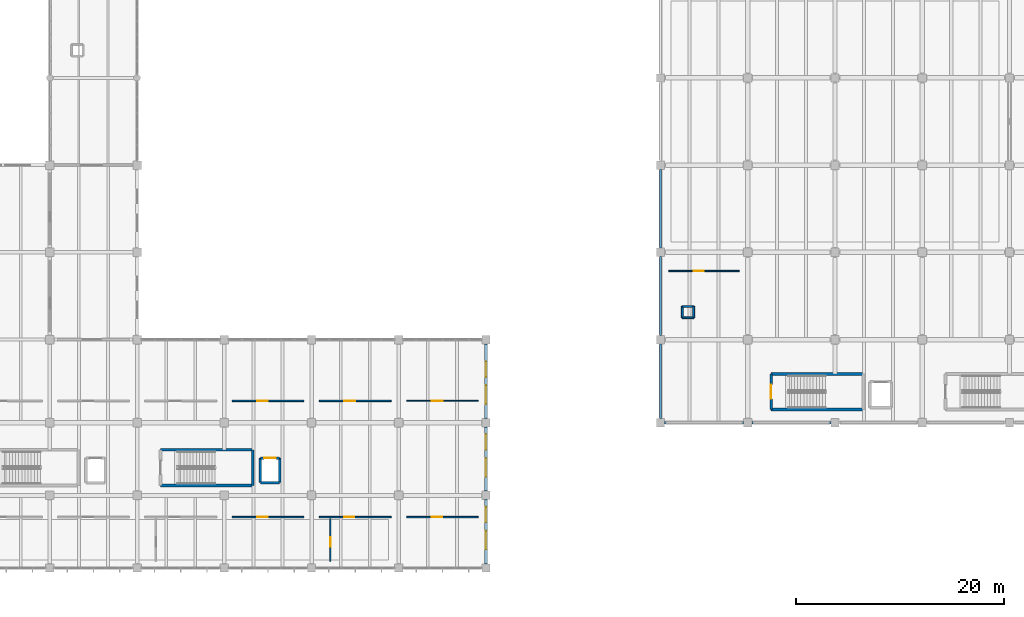
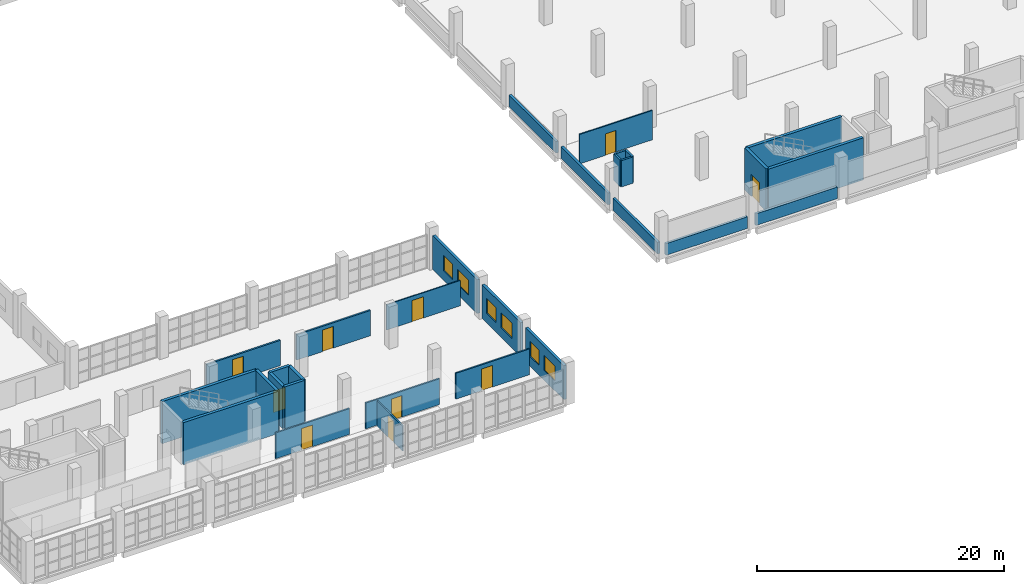
# One storey, part 150 of 177: 30 walls, 10 doors, 6 windows, 16 openings.
"""IFC4 building model written with IfcOpenShell, lengths in metres."""

from ifc_helpers import new_model, si_unit, direction, frame, frame_2d, origin, place, context, subcontext, project, spatial, rectangle, extrude, material, layer, layer_set, type_object, element, fill, save


model = new_model("IFC4")

# Units and contexts
model_context = context("Model", 3, precision=1e-05, world=origin(), true_north=direction((0.0, 1.0)))
body_context = subcontext(model_context, "Body", "Model", "MODEL_VIEW")
ifc_project = project(units=[si_unit("LENGTHUNIT", "METRE"), si_unit("AREAUNIT", "SQUARE_METRE"), si_unit("VOLUMEUNIT", "CUBIC_METRE"), si_unit("PLANEANGLEUNIT", "RADIAN"), si_unit("MASSUNIT", "GRAM", prefix="KILO"), si_unit("THERMODYNAMICTEMPERATUREUNIT", "KELVIN"), si_unit("POWERUNIT", "WATT")], contexts=[model_context])

# Site, building, storey
site_placement = place(None, origin())
site = spatial("IfcSite", under=ifc_project, at=site_placement, CompositionType="ELEMENT")
building_placement = place(site_placement, origin())
building = spatial("IfcBuilding", under=site, at=building_placement, Name="Mavoryth Pier Ferry Terminal", CompositionType="ELEMENT")
storey_placement = place(building_placement, frame((0.0, 0.0, 5.43994140625)))
storey = spatial("IfcBuildingStorey", under=building, at=storey_placement, Name="L01", CompositionType="ELEMENT", Elevation=5.43994140625)

# Walls
ifc_material_1 = material(Name="Concrete C35/45", Category="concrete")
ifc_layer_1 = layer(ifc_material_1, 0.260009765625, Name="Concrete C35/45", Category="concrete")
ifc_layer_set_1 = layer_set([ifc_layer_1], Name="Concrete C35/45 - CoreWall-LiftShaft-RC260")
wall_type_1 = type_object("IfcWallType", Name="CoreWall-LiftShaft-RC260", PredefinedType="SHEAR", material=ifc_layer_set_1)
wall_1_placement = place(storey_placement, frame((70.669921875, 8.219970703125, 0.0), z_axis=(0.0, 0.0, 1.0), x_axis=(1.0, 0.0, 0.0)))
element("IfcWall", 1, at=wall_1_placement, inside=storey, type_object=wall_type_1, Name="Interior Wall IW-L01-0269", PredefinedType="SHEAR", context=body_context, shape_type="SweptSolid", body=[
    extrude(rectangle(XDim=1.860107421875, YDim=0.260009765625, at=frame_2d((0.93017578125, 0.0))), origin(), (0.0, 0.0, 1.0), 4.16015625),
])
for number, where, z_axis, x_axis, name in (
    (2, (72.530029296875, 8.219970703125, 0.0), (0.0, 0.0, 1.0), (0.0, 1.0, 0.0), "Interior Wall IW-L01-0270"),
    (3, (70.669921875, 10.580078125, 0.0), (0.0, 0.0, 1.0), (0.0, -1.0, 0.0), "Interior Wall IW-L01-0271"),
):
    element("IfcWall", number, at=place(storey_placement, frame(where, z_axis=z_axis, x_axis=x_axis)), inside=storey, type_object=wall_type_1, Name=name, PredefinedType="SHEAR", context=body_context, shape_type="SweptSolid", body=[
        extrude(rectangle(XDim=2.360107421875, YDim=0.260009765625, at=frame_2d((1.18017578125, 0.0))), origin(), (0.0, 0.0, 1.0), 4.16015625),
    ])

# Wall, opening, door
wall_2_placement = place(storey_placement, frame((70.669921875, 10.580078125, 0.0), z_axis=(0.0, 0.0, 1.0), x_axis=(1.0, 0.0, 0.0)))
wall_2 = element("IfcWall", 4, at=wall_2_placement, inside=storey, type_object=wall_type_1, Name="Interior Wall IW-L01-0272", PredefinedType="SHEAR", context=body_context, shape_type="SweptSolid", body=[
    extrude(rectangle(XDim=1.860107421875, YDim=0.260009765625, at=frame_2d((0.93017578125, 0.0))), origin(), (0.0, 0.0, 1.0), 4.16015625),
])
opening_1_placement = place(wall_2_placement, frame((0.360107421875, 0.0, 0.0)))
opening_1 = element("IfcOpeningElement", 5, at=opening_1_placement, cuts=wall_2, Name="Opening LD02", PredefinedType="OPENING", context=body_context, shape_type="SweptSolid", body=[
    extrude(rectangle(XDim=1.139892578125, YDim=2.139892578125, at=frame_2d((0.56982421875, 1.06982421875))), frame((0.0, 0.139892578125, 0.0), z_axis=(0.0, -1.0, 0.0), x_axis=(1.0, 0.0, 0.0)), (0.0, 0.0, 1.0), 0.280029296875),
])
ifc_material_2 = material(Name="Brushed Stainless Steel Lift Landing Door", Category="steel")
door_type_1 = type_object("IfcDoorType", Name="Door-LiftLanding-1140x2140", OperationType="NOTDEFINED", PredefinedType="DOOR", material=ifc_material_2)
door_1_placement = place(opening_1_placement, origin())
door_1 = element("IfcDoor", 6, at=door_1_placement, inside=storey, type_object=door_type_1, Name="Lift LF10 Landing Door L01", OperationType="DOUBLE_DOOR_SLIDING", OverallHeight=2.139892578125, OverallWidth=1.139892578125, PredefinedType="DOOR", context=body_context, shape_type="SweptSolid", body=[
    extrude(rectangle(XDim=1.139892578125, YDim=2.139892578125, at=frame_2d((0.56982421875, 1.06982421875))), frame((0.0, 0.02490234375, 0.0), z_axis=(0.0, -1.0, 0.0), x_axis=(1.0, 0.0, 0.0)), (0.0, 0.0, 1.0), 0.050048828125),
])
fill(opening_1, door_1)

# Walls
ifc_material_3 = material(Name="Concrete C40/50", Category="concrete")
ifc_layer_2 = layer(ifc_material_3, 0.280029296875, Name="Concrete C40/50", Category="concrete")
ifc_layer_set_2 = layer_set([ifc_layer_2], Name="Concrete C40/50 - CoreWall-Shear-RC280")
wall_type_2 = type_object("IfcWallType", Name="CoreWall-Shear-RC280", PredefinedType="SHEAR", material=ifc_layer_set_2)
for number, where, z_axis, x_axis, name in (
    (7, (119.860107421875, 15.260009765625, 0.0), (0.0, 0.0, 1.0), (1.0, 0.0, 0.0), "Interior Wall IW-L01-0137"),
    (8, (119.860107421875, 18.68994140625, 0.0), (0.0, 0.0, 1.0), (1.0, 0.0, 0.0), "Interior Wall IW-L01-0138"),
):
    element("IfcWall", number, at=place(storey_placement, frame(where, z_axis=z_axis, x_axis=x_axis)), inside=storey, type_object=wall_type_2, Name=name, PredefinedType="SHEAR", context=body_context, shape_type="SweptSolid", body=[
        extrude(rectangle(XDim=8.8798828125, YDim=0.280029296875, at=frame_2d((4.43994140625, 0.0))), origin(), (0.0, 0.0, 1.0), 4.16015625),
    ])

# Wall, opening, door
wall_3_placement = place(storey_placement, frame((119.860107421875, 18.68994140625, 0.0), z_axis=(0.0, 0.0, 1.0), x_axis=(0.0, -1.0, 0.0)))
wall_3 = element("IfcWall", 9, at=wall_3_placement, inside=storey, type_object=wall_type_2, Name="Interior Wall IW-L01-0139", PredefinedType="SHEAR", context=body_context, shape_type="SweptSolid", body=[
    extrude(rectangle(XDim=3.429931640625, YDim=0.280029296875, at=frame_2d((1.71484375, 0.0))), origin(), (0.0, 0.0, 1.0), 4.16015625),
])
opening_2_placement = place(wall_3_placement, frame((1.034912109375, 0.0, 0.0)))
opening_2 = element("IfcOpeningElement", 10, at=opening_2_placement, cuts=wall_3, Name="Opening ID02-035", PredefinedType="OPENING", context=body_context, shape_type="SweptSolid", body=[
    extrude(rectangle(XDim=1.360107421875, YDim=2.14990234375, at=frame_2d((0.68017578125, 1.074951171875))), frame((0.0, 0.14990234375, 0.0), z_axis=(0.0, -1.0, 0.0), x_axis=(1.0, 0.0, 0.0)), (0.0, 0.0, 1.0), 0.300048828125),
])
ifc_material_4 = material(Name="Painted Galvanised Steel Fire Door", Category="steel")
door_type_2 = type_object("IfcDoorType", Name="Door-StairFire-1360x2150", OperationType="NOTDEFINED", PredefinedType="DOOR", material=ifc_material_4)
door_2_placement = place(opening_2_placement, origin())
door_2 = element("IfcDoor", 11, at=door_2_placement, inside=storey, type_object=door_type_2, Name="Core C4A Stair Exit Door L01", OperationType="SINGLE_SWING_LEFT", OverallHeight=2.14990234375, OverallWidth=1.360107421875, PredefinedType="DOOR", context=body_context, shape_type="SweptSolid", body=[
    extrude(rectangle(XDim=1.360107421875, YDim=2.14990234375, at=frame_2d((0.68017578125, 1.074951171875))), frame((0.0, 0.02490234375, 0.0), z_axis=(0.0, -1.0, 0.0), x_axis=(1.0, 0.0, 0.0)), (0.0, 0.0, 1.0), 0.050048828125),
])
fill(opening_2, door_2)

# Walls
for number, where, z_axis, x_axis, name in (
    (12, (61.06005859375, 7.9599609375, 0.0), (0.0, 0.0, 1.0), (1.0, 0.0, 0.0), "Interior Wall IW-L01-0249"),
    (13, (61.06005859375, 11.389892578125, 0.0), (0.0, 0.0, 1.0), (1.0, 0.0, 0.0), "Interior Wall IW-L01-0250"),
):
    element("IfcWall", number, at=place(storey_placement, frame(where, z_axis=z_axis, x_axis=x_axis)), inside=storey, type_object=wall_type_2, Name=name, PredefinedType="SHEAR", context=body_context, shape_type="SweptSolid", body=[
        extrude(rectangle(XDim=8.8798828125, YDim=0.280029296875, at=frame_2d((4.43994140625, 0.0))), origin(), (0.0, 0.0, 1.0), 4.16015625),
    ])
wall_4_placement = place(storey_placement, frame((69.93994140625, 7.9599609375, 0.0), z_axis=(0.0, 0.0, 1.0), x_axis=(0.0, 1.0, 0.0)))
element("IfcWall", 14, at=wall_4_placement, inside=storey, type_object=wall_type_2, Name="Interior Wall IW-L01-0252", PredefinedType="SHEAR", context=body_context, shape_type="SweptSolid", body=[
    extrude(rectangle(XDim=3.429931640625, YDim=0.280029296875, at=frame_2d((1.71484375, 0.0))), origin(), (0.0, 0.0, 1.0), 4.16015625),
])
ifc_layer_3 = layer(ifc_material_3, 0.22998046875, Name="Concrete C40/50", Category="concrete")
ifc_layer_set_3 = layer_set([ifc_layer_3], Name="Concrete C40/50 - ExtWall-CrashUpstand-230")
wall_type_3 = type_object("IfcWallType", Name="ExtWall-CrashUpstand-230", PredefinedType="PARAPET", material=ifc_layer_set_3)
wall_5_placement = place(storey_placement, frame((109.60009765625, 14.0, 0.0), z_axis=(0.0, 0.0, 1.0), x_axis=(1.0, 0.0, 0.0)))
element("IfcWall", 15, at=wall_5_placement, inside=storey, type_object=wall_type_3, Name="Exterior Wall EW-L01-065", PredefinedType="PARAPET", context=body_context, shape_type="SweptSolid", body=[
    extrude(rectangle(XDim=7.599853515625, YDim=0.22998046875, at=frame_2d((3.7998046875, 0.0))), origin(), (0.0, 0.0, 1.0), 1.150146484375),
])
wall_6_placement = place(storey_placement, frame((118.0, 14.0, 0.0), z_axis=(0.0, 0.0, 1.0), x_axis=(1.0, 0.0, 0.0)))
element("IfcWall", 16, at=wall_6_placement, inside=storey, type_object=wall_type_3, Name="Exterior Wall EW-L01-067", PredefinedType="PARAPET", context=body_context, shape_type="SweptSolid", body=[
    extrude(rectangle(XDim=7.60009765625, YDim=0.22998046875, at=frame_2d((3.800048828125, 0.0))), origin(), (0.0, 0.0, 1.0), 1.150146484375),
])
wall_7_placement = place(storey_placement, frame((109.199951171875, 14.39990234375, 0.0), z_axis=(0.0, 0.0, 1.0), x_axis=(0.0, 1.0, 0.0)))
element("IfcWall", 17, at=wall_7_placement, inside=storey, type_object=wall_type_3, Name="Exterior Wall EW-L01-079", PredefinedType="PARAPET", context=body_context, shape_type="SweptSolid", body=[
    extrude(rectangle(XDim=7.2001953125, YDim=0.22998046875, at=frame_2d((3.60009765625, 0.0))), origin(), (0.0, 0.0, 1.0), 1.150146484375),
])
wall_8_placement = place(storey_placement, frame((109.199951171875, 22.39990234375, 0.0), z_axis=(0.0, 0.0, 1.0), x_axis=(0.0, 1.0, 0.0)))
element("IfcWall", 18, at=wall_8_placement, inside=storey, type_object=wall_type_3, Name="Exterior Wall EW-L01-081", PredefinedType="PARAPET", context=body_context, shape_type="SweptSolid", body=[
    extrude(rectangle(XDim=7.60009765625, YDim=0.22998046875, at=frame_2d((3.800048828125, 0.0))), origin(), (0.0, 0.0, 1.0), 1.150146484375),
])
wall_9_placement = place(storey_placement, frame((109.199951171875, 30.800048828125, 0.0), z_axis=(0.0, 0.0, 1.0), x_axis=(0.0, 1.0, 0.0)))
element("IfcWall", 19, at=wall_9_placement, inside=storey, type_object=wall_type_3, Name="Exterior Wall EW-L01-083", PredefinedType="PARAPET", context=body_context, shape_type="SweptSolid", body=[
    extrude(rectangle(XDim=7.599853515625, YDim=0.22998046875, at=frame_2d((3.7998046875, 0.0))), origin(), (0.0, 0.0, 1.0), 1.150146484375),
])

# Wall, openings, windows
ifc_material_5 = material(Name="Insulated Pentelic Limestone-Faced Masonry", Category="masonry")
ifc_layer_4 = layer(ifc_material_5, 0.25, Name="Insulated Pentelic Limestone-Faced Masonry", Category="masonry")
ifc_layer_set_4 = layer_set([ifc_layer_4], Name="Insulated Pentelic Limestone-Faced Masonry - ExtWall-Facade-Masonry250")
wall_type_4 = type_object("IfcWallType", Name="ExtWall-Facade-Masonry250", PredefinedType="SOLIDWALL", material=ifc_layer_set_4)
wall_10_placement = place(storey_placement, frame((92.39990234375, 0.39990234375, 0.0), z_axis=(0.0, 0.0, 1.0), x_axis=(0.0, 1.0, 0.0)))
wall_10 = element("IfcWall", 20, at=wall_10_placement, inside=storey, type_object=wall_type_4, Name="Exterior Wall EW-L01-158", PredefinedType="SOLIDWALL", context=body_context, shape_type="SweptSolid", body=[
    extrude(rectangle(XDim=6.2001953125, YDim=0.25, at=frame_2d((3.10009765625, 0.0))), origin(), (0.0, 0.0, 1.0), 3.344970703125),
])
opening_3_placement = place(wall_10_placement, frame((1.389892578125, 0.0, 0.949951171875)))
opening_3 = element("IfcOpeningElement", 21, at=opening_3_placement, cuts=wall_10, Name="Opening WN01", PredefinedType="OPENING", context=body_context, shape_type="SweptSolid", body=[
    extrude(rectangle(XDim=1.800048828125, YDim=1.5, at=frame_2d((0.89990234375, 0.75))), frame((0.0, 0.135009765625, 0.0), z_axis=(0.0, -1.0, 0.0), x_axis=(1.0, 0.0, 0.0)), (0.0, 0.0, 1.0), 0.27001953125),
])
opening_4_placement = place(wall_10_placement, frame((3.989990234375, 0.0, 0.949951171875)))
opening_4 = element("IfcOpeningElement", 22, at=opening_4_placement, cuts=wall_10, Name="Opening WN03", PredefinedType="OPENING", context=body_context, shape_type="SweptSolid", body=[
    extrude(rectangle(XDim=1.5, YDim=1.5, at=frame_2d((0.75, 0.75))), frame((0.0, 0.135009765625, 0.0), z_axis=(0.0, -1.0, 0.0), x_axis=(1.0, 0.0, 0.0)), (0.0, 0.0, 1.0), 0.27001953125),
])
ifc_material_6 = material(Name="Thermally Broken Aluminium and Low-E Double Glazing", Category="aluminium")
window_type_1 = type_object("IfcWindowType", Name="Win-Ops-1500x1500", PartitioningType="SINGLE_PANEL", PredefinedType="WINDOW", material=ifc_material_6)
window_1_placement = place(opening_4_placement, origin())
window_1 = element("IfcWindow", 23, at=window_1_placement, inside=storey, type_object=window_type_1, Name="Exterior Window 78", OverallHeight=1.5, OverallWidth=1.5, PartitioningType="SINGLE_PANEL", PredefinedType="WINDOW", context=body_context, shape_type="SweptSolid", body=[
    extrude(rectangle(XDim=1.5, YDim=1.5, at=frame_2d((0.75, 0.75))), frame((0.0, 0.030029296875, 0.0), z_axis=(0.0, -1.0, 0.0), x_axis=(1.0, 0.0, 0.0)), (0.0, 0.0, 1.0), 0.06005859375),
])
fill(opening_4, window_1)
window_type_2 = type_object("IfcWindowType", Name="Win-Ops-1800x1500", PartitioningType="DOUBLE_PANEL_VERTICAL", PredefinedType="WINDOW", material=ifc_material_6)
window_2_placement = place(opening_3_placement, origin())
window_2 = element("IfcWindow", 24, at=window_2_placement, inside=storey, type_object=window_type_2, Name="Exterior Window 77", OverallHeight=1.5, OverallWidth=1.800048828125, PartitioningType="DOUBLE_PANEL_VERTICAL", PredefinedType="WINDOW", context=body_context, shape_type="SweptSolid", body=[
    extrude(rectangle(XDim=1.800048828125, YDim=1.5, at=frame_2d((0.89990234375, 0.75))), frame((0.0, 0.030029296875, 0.0), z_axis=(0.0, -1.0, 0.0), x_axis=(1.0, 0.0, 0.0)), (0.0, 0.0, 1.0), 0.06005859375),
])
fill(opening_3, window_2)

wall_11_placement = place(storey_placement, frame((92.39990234375, 7.39990234375, 0.0), z_axis=(0.0, 0.0, 1.0), x_axis=(0.0, 1.0, 0.0)))
wall_11 = element("IfcWall", 25, at=wall_11_placement, inside=storey, type_object=wall_type_4, Name="Exterior Wall EW-L01-159", PredefinedType="SOLIDWALL", context=body_context, shape_type="SweptSolid", body=[
    extrude(rectangle(XDim=6.2001953125, YDim=0.25, at=frame_2d((3.10009765625, 0.0))), origin(), (0.0, 0.0, 1.0), 3.344970703125),
])
opening_5_placement = place(wall_11_placement, frame((1.389892578125, 0.0, 0.949951171875)))
opening_5 = element("IfcOpeningElement", 26, at=opening_5_placement, cuts=wall_11, Name="Opening WN01", PredefinedType="OPENING", context=body_context, shape_type="SweptSolid", body=[
    extrude(rectangle(XDim=1.800048828125, YDim=1.5, at=frame_2d((0.89990234375, 0.75))), frame((0.0, 0.135009765625, 0.0), z_axis=(0.0, -1.0, 0.0), x_axis=(1.0, 0.0, 0.0)), (0.0, 0.0, 1.0), 0.27001953125),
])
opening_6_placement = place(wall_11_placement, frame((3.989990234375, 0.0, 0.949951171875)))
opening_6 = element("IfcOpeningElement", 27, at=opening_6_placement, cuts=wall_11, Name="Opening WN03", PredefinedType="OPENING", context=body_context, shape_type="SweptSolid", body=[
    extrude(rectangle(XDim=1.5, YDim=1.5, at=frame_2d((0.75, 0.75))), frame((0.0, 0.135009765625, 0.0), z_axis=(0.0, -1.0, 0.0), x_axis=(1.0, 0.0, 0.0)), (0.0, 0.0, 1.0), 0.27001953125),
])
window_3_placement = place(opening_6_placement, origin())
window_3 = element("IfcWindow", 28, at=window_3_placement, inside=storey, type_object=window_type_1, Name="Exterior Window 80", OverallHeight=1.5, OverallWidth=1.5, PartitioningType="SINGLE_PANEL", PredefinedType="WINDOW", context=body_context, shape_type="SweptSolid", body=[
    extrude(rectangle(XDim=1.5, YDim=1.5, at=frame_2d((0.75, 0.75))), frame((0.0, 0.030029296875, 0.0), z_axis=(0.0, -1.0, 0.0), x_axis=(1.0, 0.0, 0.0)), (0.0, 0.0, 1.0), 0.06005859375),
])
fill(opening_6, window_3)
window_4_placement = place(opening_5_placement, origin())
window_4 = element("IfcWindow", 29, at=window_4_placement, inside=storey, type_object=window_type_2, Name="Exterior Window 79", OverallHeight=1.5, OverallWidth=1.800048828125, PartitioningType="DOUBLE_PANEL_VERTICAL", PredefinedType="WINDOW", context=body_context, shape_type="SweptSolid", body=[
    extrude(rectangle(XDim=1.800048828125, YDim=1.5, at=frame_2d((0.89990234375, 0.75))), frame((0.0, 0.030029296875, 0.0), z_axis=(0.0, -1.0, 0.0), x_axis=(1.0, 0.0, 0.0)), (0.0, 0.0, 1.0), 0.06005859375),
])
fill(opening_5, window_4)

wall_12_placement = place(storey_placement, frame((92.39990234375, 14.39990234375, 0.0), z_axis=(0.0, 0.0, 1.0), x_axis=(0.0, 1.0, 0.0)))
wall_12 = element("IfcWall", 30, at=wall_12_placement, inside=storey, type_object=wall_type_4, Name="Exterior Wall EW-L01-160", PredefinedType="SOLIDWALL", context=body_context, shape_type="SweptSolid", body=[
    extrude(rectangle(XDim=7.2001953125, YDim=0.25, at=frame_2d((3.60009765625, 0.0))), origin(), (0.0, 0.0, 1.0), 3.344970703125),
])
opening_7_placement = place(wall_12_placement, frame((1.389892578125, 0.0, 0.949951171875)))
opening_7 = element("IfcOpeningElement", 31, at=opening_7_placement, cuts=wall_12, Name="Opening WN01", PredefinedType="OPENING", context=body_context, shape_type="SweptSolid", body=[
    extrude(rectangle(XDim=1.800048828125, YDim=1.5, at=frame_2d((0.89990234375, 0.75))), frame((0.0, 0.135009765625, 0.0), z_axis=(0.0, -1.0, 0.0), x_axis=(1.0, 0.0, 0.0)), (0.0, 0.0, 1.0), 0.27001953125),
])
opening_8_placement = place(wall_12_placement, frame((3.989990234375, 0.0, 0.949951171875)))
opening_8 = element("IfcOpeningElement", 32, at=opening_8_placement, cuts=wall_12, Name="Opening WN03", PredefinedType="OPENING", context=body_context, shape_type="SweptSolid", body=[
    extrude(rectangle(XDim=1.5, YDim=1.5, at=frame_2d((0.75, 0.75))), frame((0.0, 0.135009765625, 0.0), z_axis=(0.0, -1.0, 0.0), x_axis=(1.0, 0.0, 0.0)), (0.0, 0.0, 1.0), 0.27001953125),
])
window_5_placement = place(opening_8_placement, origin())
window_5 = element("IfcWindow", 33, at=window_5_placement, inside=storey, type_object=window_type_1, Name="Exterior Window 82", OverallHeight=1.5, OverallWidth=1.5, PartitioningType="SINGLE_PANEL", PredefinedType="WINDOW", context=body_context, shape_type="SweptSolid", body=[
    extrude(rectangle(XDim=1.5, YDim=1.5, at=frame_2d((0.75, 0.75))), frame((0.0, 0.030029296875, 0.0), z_axis=(0.0, -1.0, 0.0), x_axis=(1.0, 0.0, 0.0)), (0.0, 0.0, 1.0), 0.06005859375),
])
fill(opening_8, window_5)
window_6_placement = place(opening_7_placement, origin())
window_6 = element("IfcWindow", 34, at=window_6_placement, inside=storey, type_object=window_type_2, Name="Exterior Window 81", OverallHeight=1.5, OverallWidth=1.800048828125, PartitioningType="DOUBLE_PANEL_VERTICAL", PredefinedType="WINDOW", context=body_context, shape_type="SweptSolid", body=[
    extrude(rectangle(XDim=1.800048828125, YDim=1.5, at=frame_2d((0.89990234375, 0.75))), frame((0.0, 0.030029296875, 0.0), z_axis=(0.0, -1.0, 0.0), x_axis=(1.0, 0.0, 0.0)), (0.0, 0.0, 1.0), 0.06005859375),
])
fill(opening_7, window_6)

# Walls
ifc_material_7 = material(Name="Autoclaved Aerated Concrete Blockwork", Category="masonry")
ifc_layer_5 = layer(ifc_material_7, 0.179931640625, Name="Autoclaved Aerated Concrete Blockwork", Category="masonry")
ifc_layer_set_5 = layer_set([ifc_layer_5], Name="Autoclaved Aerated Concrete Blockwork - IntWall-PlantRated-180")
wall_type_5 = type_object("IfcWallType", Name="IntWall-PlantRated-180", PredefinedType="SOLIDWALL", material=ifc_layer_set_5)
for number, where, z_axis, x_axis, name in (
    (35, (111.31005859375, 24.110107421875, 0.0), (0.0, 0.0, 1.0), (1.0, 0.0, 0.0), "Interior Wall IW-L01-0393"),
    (36, (112.389892578125, 24.110107421875, 0.0), (0.0, 0.0, 1.0), (0.0, 1.0, 0.0), "Interior Wall IW-L01-0394"),
    (37, (112.389892578125, 25.18994140625, 0.0), (0.0, 0.0, 1.0), (-1.0, 0.0, 0.0), "Interior Wall IW-L01-0395"),
    (38, (111.31005859375, 25.18994140625, 0.0), (0.0, 0.0, 1.0), (0.0, -1.0, 0.0), "Interior Wall IW-L01-0396"),
):
    element("IfcWall", number, at=place(storey_placement, frame(where, z_axis=z_axis, x_axis=x_axis)), inside=storey, type_object=wall_type_5, Name=name, PredefinedType="SOLIDWALL", context=body_context, shape_type="SweptSolid", body=[
        extrude(rectangle(XDim=1.079833984375, YDim=0.179931640625, at=frame_2d((0.5400390625, 0.0))), origin(), (0.0, 0.0, 1.0), 2.60009765625),
    ])

# Wall, opening, door
ifc_material_8 = material(Name="Double-Stud Acoustic Gypsum Partition")
ifc_layer_6 = layer(ifc_material_8, 0.159912109375, Name="Double-Stud Acoustic Gypsum Partition")
ifc_layer_set_6 = layer_set([ifc_layer_6], Name="Double-Stud Acoustic Gypsum Partition - Part-Acoustic-160")
wall_type_6 = type_object("IfcWallType", Name="Part-Acoustic-160", PredefinedType="PARTITIONING", material=ifc_layer_set_6)
wall_13_placement = place(storey_placement, frame((67.949951171875, 16.10009765625, 0.0), z_axis=(0.0, 0.0, 1.0), x_axis=(1.0, 0.0, 0.0)))
wall_13 = element("IfcWall", 39, at=wall_13_placement, inside=storey, type_object=wall_type_6, Name="Interior Wall IW-L01-0462", PredefinedType="PARTITIONING", context=body_context, shape_type="SweptSolid", body=[
    extrude(rectangle(XDim=6.900146484375, YDim=0.159912109375, at=frame_2d((3.4501953125, 0.0))), origin(), (0.0, 0.0, 1.0), 2.5),
])
opening_9_placement = place(wall_13_placement, frame((2.39990234375, 0.0, 0.0)))
opening_9 = element("IfcOpeningElement", 40, at=opening_9_placement, cuts=wall_13, Name="Opening ID08-131", PredefinedType="OPENING", context=body_context, shape_type="SweptSolid", body=[
    extrude(rectangle(XDim=1.0400390625, YDim=2.139892578125, at=frame_2d((0.52001953125, 1.06982421875))), frame((0.0, 0.08984375, 0.0), z_axis=(0.0, -1.0, 0.0), x_axis=(1.0, 0.0, 0.0)), (0.0, 0.0, 1.0), 0.179931640625),
])
ifc_material_9 = material(Name="Solid-Core Oak Veneer Timber Door", Category="wood")
door_type_3 = type_object("IfcDoorType", Name="Door-RoomSingle-1040x2140", OperationType="NOTDEFINED", PredefinedType="DOOR", material=ifc_material_9)
door_3_placement = place(opening_9_placement, origin())
door_3 = element("IfcDoor", 41, at=door_3_placement, inside=storey, type_object=door_type_3, Name="Interior Door ID08-131", OperationType="SINGLE_SWING_RIGHT", OverallHeight=2.139892578125, OverallWidth=1.0400390625, PredefinedType="DOOR", context=body_context, shape_type="SweptSolid", body=[
    extrude(rectangle(XDim=1.0400390625, YDim=2.139892578125, at=frame_2d((0.52001953125, 1.06982421875))), frame((0.0, 0.02490234375, 0.0), z_axis=(0.0, -1.0, 0.0), x_axis=(1.0, 0.0, 0.0)), (0.0, 0.0, 1.0), 0.050048828125),
])
fill(opening_9, door_3)

wall_14_placement = place(storey_placement, frame((76.35009765625, 16.10009765625, 0.0), z_axis=(0.0, 0.0, 1.0), x_axis=(1.0, 0.0, 0.0)))
wall_14 = element("IfcWall", 42, at=wall_14_placement, inside=storey, type_object=wall_type_6, Name="Interior Wall IW-L01-0465", PredefinedType="PARTITIONING", context=body_context, shape_type="SweptSolid", body=[
    extrude(rectangle(XDim=6.89990234375, YDim=0.159912109375, at=frame_2d((3.449951171875, 0.0))), origin(), (0.0, 0.0, 1.0), 2.5),
])
opening_10_placement = place(wall_14_placement, frame((2.39990234375, 0.0, 0.0)))
opening_10 = element("IfcOpeningElement", 43, at=opening_10_placement, cuts=wall_14, Name="Opening ID08-134", PredefinedType="OPENING", context=body_context, shape_type="SweptSolid", body=[
    extrude(rectangle(XDim=1.0400390625, YDim=2.139892578125, at=frame_2d((0.52001953125, 1.06982421875))), frame((0.0, 0.08984375, 0.0), z_axis=(0.0, -1.0, 0.0), x_axis=(1.0, 0.0, 0.0)), (0.0, 0.0, 1.0), 0.179931640625),
])
door_4_placement = place(opening_10_placement, origin())
door_4 = element("IfcDoor", 44, at=door_4_placement, inside=storey, type_object=door_type_3, Name="Interior Door ID08-134", OperationType="SINGLE_SWING_LEFT", OverallHeight=2.139892578125, OverallWidth=1.0400390625, PredefinedType="DOOR", context=body_context, shape_type="SweptSolid", body=[
    extrude(rectangle(XDim=1.0400390625, YDim=2.139892578125, at=frame_2d((0.52001953125, 1.06982421875))), frame((0.0, 0.02490234375, 0.0), z_axis=(0.0, -1.0, 0.0), x_axis=(1.0, 0.0, 0.0)), (0.0, 0.0, 1.0), 0.050048828125),
])
fill(opening_10, door_4)

ifc_material_10 = material(Name="Fire-Rated Gypsum Stud Partition")
ifc_layer_7 = layer(ifc_material_10, 0.139892578125, Name="Fire-Rated Gypsum Stud Partition")
ifc_layer_set_7 = layer_set([ifc_layer_7], Name="Fire-Rated Gypsum Stud Partition - Part-Corridor-140")
wall_type_7 = type_object("IfcWallType", Name="Part-Corridor-140", PredefinedType="PARTITIONING", material=ifc_layer_set_7)
wall_15_placement = place(storey_placement, frame((67.949951171875, 4.89990234375, 0.0), z_axis=(0.0, 0.0, 1.0), x_axis=(1.0, 0.0, 0.0)))
wall_15 = element("IfcWall", 45, at=wall_15_placement, inside=storey, type_object=wall_type_7, Name="Interior Wall IW-L01-0461", PredefinedType="PARTITIONING", context=body_context, shape_type="SweptSolid", body=[
    extrude(rectangle(XDim=6.900146484375, YDim=0.139892578125, at=frame_2d((3.4501953125, 0.0))), origin(), (0.0, 0.0, 1.0), 2.550048828125),
])
opening_11_placement = place(wall_15_placement, frame((2.39990234375, 0.0, 0.0)))
opening_11 = element("IfcOpeningElement", 46, at=opening_11_placement, cuts=wall_15, Name="Opening ID08-130", PredefinedType="OPENING", context=body_context, shape_type="SweptSolid", body=[
    extrude(rectangle(XDim=1.0400390625, YDim=2.139892578125, at=frame_2d((0.52001953125, 1.06982421875))), frame((0.0, 0.079833984375, 0.0), z_axis=(0.0, -1.0, 0.0), x_axis=(1.0, 0.0, 0.0)), (0.0, 0.0, 1.0), 0.159912109375),
])
door_5_placement = place(opening_11_placement, origin())
door_5 = element("IfcDoor", 47, at=door_5_placement, inside=storey, type_object=door_type_3, Name="Interior Door ID08-130", OperationType="SINGLE_SWING_LEFT", OverallHeight=2.139892578125, OverallWidth=1.0400390625, PredefinedType="DOOR", context=body_context, shape_type="SweptSolid", body=[
    extrude(rectangle(XDim=1.0400390625, YDim=2.139892578125, at=frame_2d((0.52001953125, 1.06982421875))), frame((0.0, 0.02490234375, 0.0), z_axis=(0.0, -1.0, 0.0), x_axis=(1.0, 0.0, 0.0)), (0.0, 0.0, 1.0), 0.050048828125),
])
fill(opening_11, door_5)

wall_16_placement = place(storey_placement, frame((76.35009765625, 4.89990234375, 0.0), z_axis=(0.0, 0.0, 1.0), x_axis=(1.0, 0.0, 0.0)))
wall_16 = element("IfcWall", 48, at=wall_16_placement, inside=storey, type_object=wall_type_7, Name="Interior Wall IW-L01-0463", PredefinedType="PARTITIONING", context=body_context, shape_type="SweptSolid", body=[
    extrude(rectangle(XDim=6.89990234375, YDim=0.139892578125, at=frame_2d((3.449951171875, 0.0))), origin(), (0.0, 0.0, 1.0), 2.550048828125),
])
opening_12_placement = place(wall_16_placement, frame((2.39990234375, 0.0, 0.0)))
opening_12 = element("IfcOpeningElement", 49, at=opening_12_placement, cuts=wall_16, Name="Opening ID09-132", PredefinedType="OPENING", context=body_context, shape_type="SweptSolid", body=[
    extrude(rectangle(XDim=0.97998046875, YDim=2.1201171875, at=frame_2d((0.489990234375, 1.06005859375))), frame((0.0, 0.079833984375, 0.0), z_axis=(0.0, -1.0, 0.0), x_axis=(1.0, 0.0, 0.0)), (0.0, 0.0, 1.0), 0.159912109375),
])
door_type_4 = type_object("IfcDoorType", Name="Door-RoomSingle-980x2120", OperationType="NOTDEFINED", PredefinedType="DOOR", material=ifc_material_9)
door_6_placement = place(opening_12_placement, origin())
door_6 = element("IfcDoor", 50, at=door_6_placement, inside=storey, type_object=door_type_4, Name="Interior Door ID09-132", OperationType="SINGLE_SWING_LEFT", OverallHeight=2.1201171875, OverallWidth=0.97998046875, PredefinedType="DOOR", context=body_context, shape_type="SweptSolid", body=[
    extrude(rectangle(XDim=0.97998046875, YDim=2.1201171875, at=frame_2d((0.489990234375, 1.06005859375))), frame((0.0, 0.02490234375, 0.0), z_axis=(0.0, -1.0, 0.0), x_axis=(1.0, 0.0, 0.0)), (0.0, 0.0, 1.0), 0.050048828125),
])
fill(opening_12, door_6)

wall_17_placement = place(storey_placement, frame((84.75, 4.89990234375, 0.0), z_axis=(0.0, 0.0, 1.0), x_axis=(1.0, 0.0, 0.0)))
wall_17 = element("IfcWall", 51, at=wall_17_placement, inside=storey, type_object=wall_type_7, Name="Interior Wall IW-L01-0466", PredefinedType="PARTITIONING", context=body_context, shape_type="SweptSolid", body=[
    extrude(rectangle(XDim=6.89990234375, YDim=0.139892578125, at=frame_2d((3.449951171875, 0.0))), origin(), (0.0, 0.0, 1.0), 2.550048828125),
])
opening_13_placement = place(wall_17_placement, frame((2.39990234375, 0.0, 0.0)))
opening_13 = element("IfcOpeningElement", 52, at=opening_13_placement, cuts=wall_17, Name="Opening ID08-135", PredefinedType="OPENING", context=body_context, shape_type="SweptSolid", body=[
    extrude(rectangle(XDim=1.0400390625, YDim=2.139892578125, at=frame_2d((0.52001953125, 1.06982421875))), frame((0.0, 0.079833984375, 0.0), z_axis=(0.0, -1.0, 0.0), x_axis=(1.0, 0.0, 0.0)), (0.0, 0.0, 1.0), 0.159912109375),
])
door_7_placement = place(opening_13_placement, origin())
door_7 = element("IfcDoor", 53, at=door_7_placement, inside=storey, type_object=door_type_3, Name="Interior Door ID08-135", OperationType="SINGLE_SWING_RIGHT", OverallHeight=2.139892578125, OverallWidth=1.0400390625, PredefinedType="DOOR", context=body_context, shape_type="SweptSolid", body=[
    extrude(rectangle(XDim=1.0400390625, YDim=2.139892578125, at=frame_2d((0.52001953125, 1.06982421875))), frame((0.0, 0.02490234375, 0.0), z_axis=(0.0, -1.0, 0.0), x_axis=(1.0, 0.0, 0.0)), (0.0, 0.0, 1.0), 0.050048828125),
])
fill(opening_13, door_7)

ifc_material_11 = material(Name="Metal-Stud Gypsum Partition")
ifc_layer_8 = layer(ifc_material_11, 0.1201171875, Name="Metal-Stud Gypsum Partition")
ifc_layer_set_8 = layer_set([ifc_layer_8], Name="Metal-Stud Gypsum Partition - Part-Standard-120")
wall_type_8 = type_object("IfcWallType", Name="Part-Standard-120", PredefinedType="PARTITIONING", material=ifc_layer_set_8)
wall_18_placement = place(storey_placement, frame((110.0, 28.60009765625, 0.0), z_axis=(0.0, 0.0, 1.0), x_axis=(1.0, 0.0, 0.0)))
wall_18 = element("IfcWall", 54, at=wall_18_placement, inside=storey, type_object=wall_type_8, Name="Interior Wall IW-L01-0433", PredefinedType="PARTITIONING", context=body_context, shape_type="SweptSolid", body=[
    extrude(rectangle(XDim=6.800048828125, YDim=0.1201171875, at=frame_2d((3.39990234375, 0.0))), origin(), (0.0, 0.0, 1.0), 2.900146484375),
])
opening_14_placement = place(wall_18_placement, frame((2.39990234375, 0.0, 0.0)))
opening_14 = element("IfcOpeningElement", 55, at=opening_14_placement, cuts=wall_18, Name="Opening ID09-102", PredefinedType="OPENING", context=body_context, shape_type="SweptSolid", body=[
    extrude(rectangle(XDim=0.97998046875, YDim=2.1201171875, at=frame_2d((0.489990234375, 1.06005859375))), frame((0.0, 0.070068359375, 0.0), z_axis=(0.0, -1.0, 0.0), x_axis=(1.0, 0.0, 0.0)), (0.0, 0.0, 1.0), 0.14013671875),
])
door_8_placement = place(opening_14_placement, origin())
door_8 = element("IfcDoor", 56, at=door_8_placement, inside=storey, type_object=door_type_4, Name="Interior Door ID09-102", OperationType="SINGLE_SWING_RIGHT", OverallHeight=2.1201171875, OverallWidth=0.97998046875, PredefinedType="DOOR", context=body_context, shape_type="SweptSolid", body=[
    extrude(rectangle(XDim=0.97998046875, YDim=2.1201171875, at=frame_2d((0.489990234375, 1.06005859375))), frame((0.0, 0.02490234375, 0.0), z_axis=(0.0, -1.0, 0.0), x_axis=(1.0, 0.0, 0.0)), (0.0, 0.0, 1.0), 0.050048828125),
])
fill(opening_14, door_8)

wall_19_placement = place(storey_placement, frame((77.39990234375, 0.64990234375, 0.0), z_axis=(0.0, 0.0, 1.0), x_axis=(0.0, 1.0, 0.0)))
wall_19 = element("IfcWall", 57, at=wall_19_placement, inside=storey, type_object=wall_type_8, Name="Interior Wall IW-L01-0464", PredefinedType="PARTITIONING", context=body_context, shape_type="SweptSolid", body=[
    extrude(rectangle(XDim=4.10009765625, YDim=0.1201171875, at=frame_2d((2.050048828125, 0.0))), origin(), (0.0, 0.0, 1.0), 2.5),
])
opening_15_placement = place(wall_19_placement, frame((1.39990234375, 0.0, 0.0)))
opening_15 = element("IfcOpeningElement", 58, at=opening_15_placement, cuts=wall_19, Name="Opening ID10-133", PredefinedType="OPENING", context=body_context, shape_type="SweptSolid", body=[
    extrude(rectangle(XDim=0.93994140625, YDim=2.080078125, at=frame_2d((0.469970703125, 1.0400390625))), frame((0.0, 0.070068359375, 0.0), z_axis=(0.0, -1.0, 0.0), x_axis=(1.0, 0.0, 0.0)), (0.0, 0.0, 1.0), 0.14013671875),
])
door_type_5 = type_object("IfcDoorType", Name="Door-RoomSingle-940x2080", OperationType="NOTDEFINED", PredefinedType="DOOR", material=ifc_material_9)
door_9_placement = place(opening_15_placement, origin())
door_9 = element("IfcDoor", 59, at=door_9_placement, inside=storey, type_object=door_type_5, Name="Interior Door ID10-133", OperationType="SINGLE_SWING_RIGHT", OverallHeight=2.080078125, OverallWidth=0.93994140625, PredefinedType="DOOR", context=body_context, shape_type="SweptSolid", body=[
    extrude(rectangle(XDim=0.93994140625, YDim=2.080078125, at=frame_2d((0.469970703125, 1.0400390625))), frame((0.0, 0.02490234375, 0.0), z_axis=(0.0, -1.0, 0.0), x_axis=(1.0, 0.0, 0.0)), (0.0, 0.0, 1.0), 0.050048828125),
])
fill(opening_15, door_9)

ifc_material_12 = material(Name="Moisture-Resistant Cement-Board Partition")
ifc_layer_9 = layer(ifc_material_12, 0.10009765625, Name="Moisture-Resistant Cement-Board Partition")
ifc_layer_set_9 = layer_set([ifc_layer_9], Name="Moisture-Resistant Cement-Board Partition - Part-WetArea-100")
wall_type_9 = type_object("IfcWallType", Name="Part-WetArea-100", PredefinedType="PARTITIONING", material=ifc_layer_set_9)
wall_20_placement = place(storey_placement, frame((84.75, 16.10009765625, 0.0), z_axis=(0.0, 0.0, 1.0), x_axis=(1.0, 0.0, 0.0)))
wall_20 = element("IfcWall", 60, at=wall_20_placement, inside=storey, type_object=wall_type_9, Name="Interior Wall IW-L01-0467", PredefinedType="PARTITIONING", context=body_context, shape_type="SweptSolid", body=[
    extrude(rectangle(XDim=6.89990234375, YDim=0.10009765625, at=frame_2d((3.449951171875, 0.0))), origin(), (0.0, 0.0, 1.0), 2.5),
])
opening_16_placement = place(wall_20_placement, frame((2.39990234375, 0.0, 0.0)))
opening_16 = element("IfcOpeningElement", 61, at=opening_16_placement, cuts=wall_20, Name="Opening ID11-136", PredefinedType="OPENING", context=body_context, shape_type="SweptSolid", body=[
    extrude(rectangle(XDim=1.06005859375, YDim=2.10009765625, at=frame_2d((0.530029296875, 1.050048828125))), frame((0.0, 0.06005859375, 0.0), z_axis=(0.0, -1.0, 0.0), x_axis=(1.0, 0.0, 0.0)), (0.0, 0.0, 1.0), 0.1201171875),
])
ifc_material_13 = material(Name="High-Pressure Laminate Accessible Door")
door_type_6 = type_object("IfcDoorType", Name="Door-AccessibleWC-1060x2100", OperationType="NOTDEFINED", PredefinedType="DOOR", material=ifc_material_13)
door_10_placement = place(opening_16_placement, origin())
door_10 = element("IfcDoor", 62, at=door_10_placement, inside=storey, type_object=door_type_6, Name="Interior Door ID11-136", OperationType="SINGLE_SWING_LEFT", OverallHeight=2.10009765625, OverallWidth=1.06005859375, PredefinedType="DOOR", context=body_context, shape_type="SweptSolid", body=[
    extrude(rectangle(XDim=1.06005859375, YDim=2.10009765625, at=frame_2d((0.530029296875, 1.050048828125))), frame((0.0, 0.02490234375, 0.0), z_axis=(0.0, -1.0, 0.0), x_axis=(1.0, 0.0, 0.0)), (0.0, 0.0, 1.0), 0.050048828125),
])
fill(opening_16, door_10)

save(model, "model.ifc")
